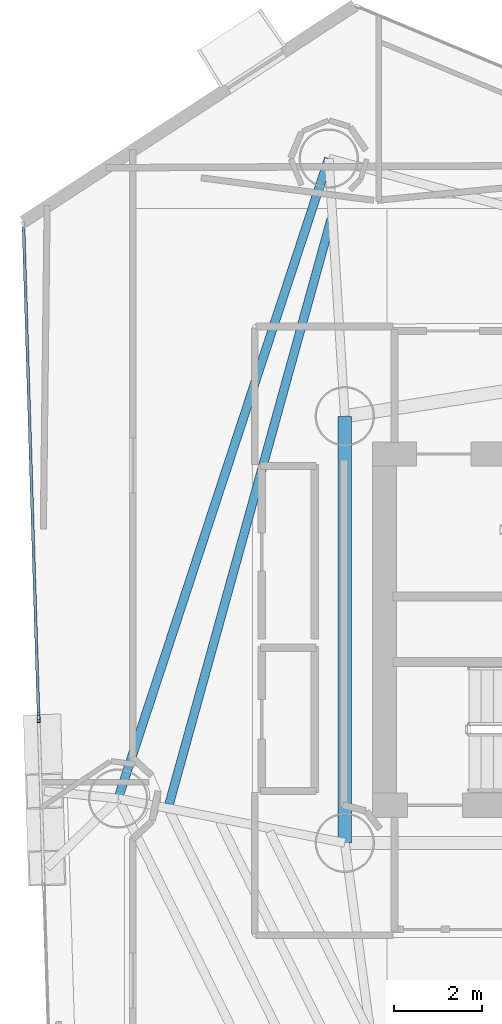
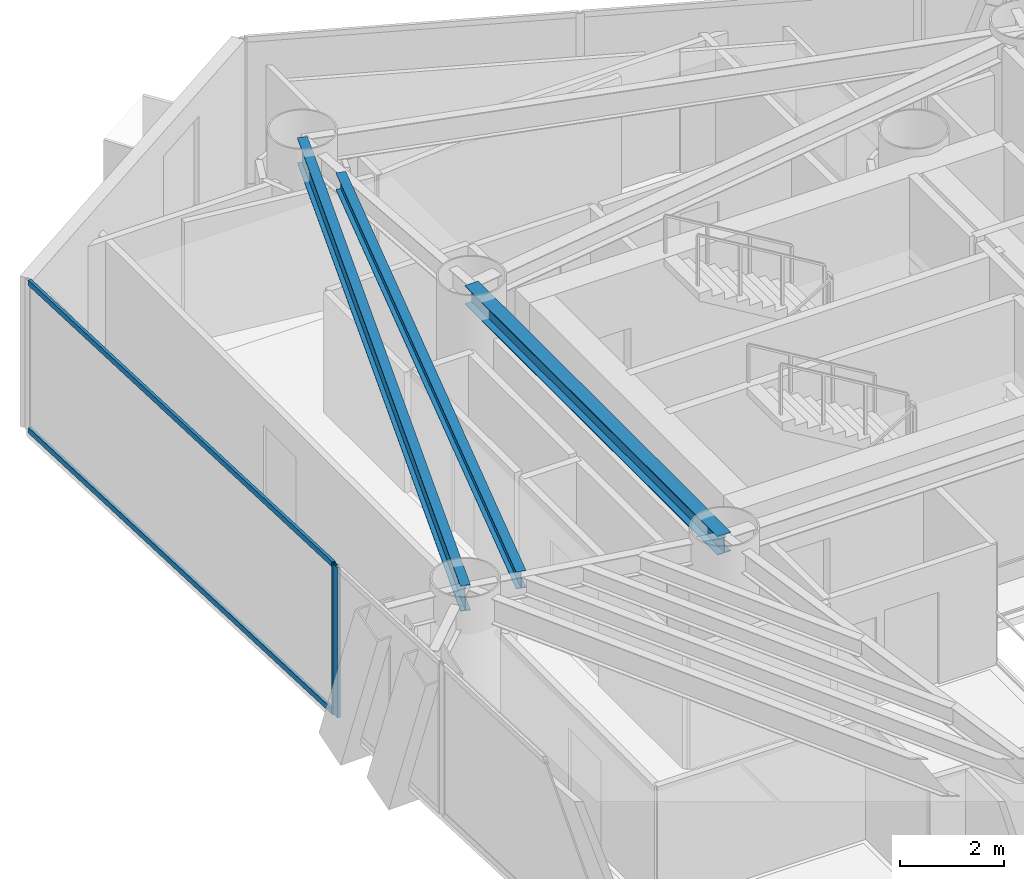
# One storey, part 9 of 22: 4 members, 3 beams, 2 elements without a shape of their own.
"""IFC4 building model written with IfcOpenShell, lengths in metres."""

from ifc_helpers import new_model, si_unit, direction, frame, origin, origin_2d, place, context, subcontext, project, spatial, hollow_rectangle, i_section, extrude, material, layer, layer_set, material_profile, profile_set, type_object, element, aggregate, save


model = new_model("IFC4")

# Units and contexts
model_context = context("Model", 3, precision=1e-05, world=origin(), true_north=direction((0.0, 1.0)))
body_context = subcontext(model_context, "Body", "Model", "MODEL_VIEW")
ifc_project = project(units=[si_unit("LENGTHUNIT", "METRE"), si_unit("AREAUNIT", "SQUARE_METRE"), si_unit("VOLUMEUNIT", "CUBIC_METRE"), si_unit("PLANEANGLEUNIT", "RADIAN"), si_unit("MASSUNIT", "GRAM", prefix="KILO")], contexts=[model_context])

# Site, building, storey
site_placement = place(None, origin())
site = spatial("IfcSite", under=ifc_project, at=site_placement, CompositionType="ELEMENT")
building_placement = place(site_placement, origin())
building = spatial("IfcBuilding", under=site, at=building_placement, Name="Qianvela Tower", CompositionType="ELEMENT")
storey_placement = place(building_placement, frame((0.0, 0.0, 155.0)))
storey = spatial("IfcBuildingStorey", under=building, at=storey_placement, Name="L39", CompositionType="ELEMENT", Elevation=155.0)

# Beams
ifc_material_1 = material(Name="Steel Q355B", Category="steel")
ifc_material_profile_1 = material_profile(ifc_material_1, i_section(OverallWidth=0.300048828125, OverallDepth=0.43994140625, WebThickness=0.010986328125, FlangeThickness=0.01806640625, at=origin_2d()), Name="HM440x300x11x18")
ifc_profile_set_1 = profile_set([ifc_material_profile_1], Name="Steel Q355B")
beam_type_1 = type_object("IfcBeamType", Name="BM-HM440-COLL", PredefinedType="BEAM", material=ifc_profile_set_1)
beam_1_placement = place(storey_placement, frame((28.60009765625, 33.550048828125, 3.298095703125), z_axis=(0.0, -1.0, 0.0), x_axis=(1.0, 0.0, 0.0)))
element("IfcBeam", 1, at=beam_1_placement, inside=storey, type_object=beam_type_1, Name="L39 Core Ring Collector Girder CC2", PredefinedType="BEAM", context=body_context, shape_type="SweptSolid", body=[
    extrude(i_section(OverallWidth=0.300048828125, OverallDepth=0.43994140625, WebThickness=0.010986328125, FlangeThickness=0.01806640625, at=origin_2d()), origin(), (0.0, 0.0, 1.0), 9.699951171875),
])
ifc_material_2 = material(Name="Steel Q355B", Category="steel")
ifc_material_profile_2 = material_profile(ifc_material_2, i_section(OverallWidth=0.199951171875, OverallDepth=0.39990234375, WebThickness=0.008056640625, FlangeThickness=0.012939453125, at=origin_2d()), Name="HN400x200x8x13")
ifc_profile_set_2 = profile_set([ifc_material_profile_2], Name="Steel Q355B")
beam_type_2 = type_object("IfcBeamType", Name="BM-HN400-JOIST", PredefinedType="JOIST", material=ifc_profile_set_2)
beam_2_placement = place(storey_placement, frame((28.289794921875, 38.029052734375, 3.318115234375), z_axis=(-0.266971346744, -0.963704467157, 0.0), x_axis=(0.963704467157, -0.266971346744, 0.0)))
element("IfcBeam", 2, at=beam_2_placement, inside=storey, type_object=beam_type_2, Name="L39 Secondary Composite Floor Joist 3.3", PredefinedType="JOIST", context=body_context, shape_type="SweptSolid", body=[
    extrude(i_section(OverallWidth=0.199951171875, OverallDepth=0.39990234375, WebThickness=0.008056640625, FlangeThickness=0.012939453125, at=origin_2d()), origin(), (0.0, 0.0, 1.0), 13.800537109375),
])
ifc_material_3 = material(Name="Steel Q355B", Category="steel")
ifc_material_profile_3 = material_profile(ifc_material_3, i_section(OverallWidth=0.199951171875, OverallDepth=0.60009765625, WebThickness=0.010986328125, FlangeThickness=0.01708984375, at=origin_2d()), Name="HN600x200x11x17")
ifc_profile_set_3 = profile_set([ifc_material_profile_3], Name="Steel Q355B")
beam_type_3 = type_object("IfcBeamType", Name="BM-HN600-GIRD", PredefinedType="BEAM", material=ifc_profile_set_3)
beam_3_placement = place(storey_placement, frame((28.235107421875, 39.410888671875, 3.218017578125), z_axis=(-0.312606332657, -0.949882772126, 0.0), x_axis=(0.949882772126, -0.312606332657, 0.0)))
element("IfcBeam", 3, at=beam_3_placement, inside=storey, type_object=beam_type_3, Name="L39 Perimeter Ring Spandrel Girder 3", PredefinedType="BEAM", context=body_context, shape_type="SweptSolid", body=[
    extrude(i_section(OverallWidth=0.199951171875, OverallDepth=0.60009765625, WebThickness=0.010986328125, FlangeThickness=0.01708984375, at=origin_2d()), origin(), (0.0, 0.0, 1.0), 15.31982421875),
])

# Curtain wall, member
ifc_material_4 = material(Name="Anodised Architectural Aluminium and Insulated Spandrel Panel", Category="aluminium")
ifc_layer_1 = layer(ifc_material_4, 0.179931640625)
ifc_layer_set_1 = layer_set([ifc_layer_1], Name="Anodised Architectural Aluminium and Insulated Spandrel Panel")
curtain_wall_type_1 = type_object("IfcCurtainWallType", Name="CW-BRACEBAY", PredefinedType="USERDEFINED", material=ifc_layer_set_1)
curtain_wall_1_placement = place(storey_placement, origin())
curtain_wall_1 = element("IfcCurtainWall", 4, at=curtain_wall_1_placement, inside=storey, type_object=curtain_wall_type_1, Name="L39 CW-BRACEBAY Curtain Wall 04B", ObjectType="CURTAIN_WALL_SYSTEM", PredefinedType="USERDEFINED")
ifc_material_5 = material(Name="Anodised Architectural Aluminium 6063-T6", Category="aluminium")
ifc_material_profile_4 = material_profile(ifc_material_5, hollow_rectangle(XDim=0.06494140625, YDim=0.159912109375, WallThickness=0.0048828125, at=origin_2d()), Name="ALU-MULL-65x160")
ifc_profile_set_4 = profile_set([ifc_material_profile_4], Name="Anodised Architectural Aluminium 6063-T6")
member_type_1 = type_object("IfcMemberType", Name="CW-BRACEBAY-MULL", PredefinedType="MULLION", material=ifc_profile_set_4)
member_1_placement = place(storey_placement, frame((21.638427734375, 26.6640625, 0.0), z_axis=(0.0, 0.0, 1.0), x_axis=(0.999528753166, 0.030696442709, 0.0)))
member_1 = element("IfcMember", 5, at=member_1_placement, type_object=member_type_1, Name="CW-9 mullion 1", PredefinedType="MULLION", context=body_context, shape_type="SweptSolid", body=[
    extrude(hollow_rectangle(XDim=0.06494140625, YDim=0.159912109375, WallThickness=0.0048828125, at=origin_2d()), origin(), (0.0, 0.0, 1.0), 3.52001953125),
])
aggregate(curtain_wall_1, [member_1])

# Curtain wall, members
ifc_material_6 = material(Name="Anodised Architectural Aluminium and Low-E Glass", Category="aluminium")
ifc_layer_2 = layer(ifc_material_6, 0.169921875)
ifc_layer_set_2 = layer_set([ifc_layer_2], Name="Anodised Architectural Aluminium and Low-E Glass")
curtain_wall_type_2 = type_object("IfcCurtainWallType", Name="CW-COLIV-Z34", PredefinedType="USERDEFINED", material=ifc_layer_set_2)
curtain_wall_2_placement = place(storey_placement, origin())
curtain_wall_2 = element("IfcCurtainWall", 6, at=curtain_wall_2_placement, inside=storey, type_object=curtain_wall_type_2, Name="L39 CW-COLIV-Z34 Curtain Wall 04A", ObjectType="CURTAIN_WALL_SYSTEM", PredefinedType="USERDEFINED")
ifc_material_7 = material(Name="Anodised Architectural Aluminium 6063-T6", Category="aluminium")
ifc_material_profile_5 = material_profile(ifc_material_7, hollow_rectangle(XDim=0.06494140625, YDim=0.159912109375, WallThickness=0.0048828125, at=origin_2d()), Name="ALU-MULL-65x160")
ifc_profile_set_5 = profile_set([ifc_material_profile_5], Name="Anodised Architectural Aluminium 6063-T6")
member_type_2 = type_object("IfcMemberType", Name="CW-COLIV-Z34-MULL", PredefinedType="MULLION", material=ifc_profile_set_5)
member_2_placement = place(storey_placement, frame((21.636474609375, 26.72900390625, 0.0), z_axis=(0.0, 0.0, 1.0), x_axis=(0.999527990067, 0.030721280446, 0.0)))
member_2 = element("IfcMember", 7, at=member_2_placement, type_object=member_type_2, Name="CW-4 mullion 2", PredefinedType="MULLION", context=body_context, shape_type="SweptSolid", body=[
    extrude(hollow_rectangle(XDim=0.06494140625, YDim=0.159912109375, WallThickness=0.0048828125, at=origin_2d()), origin(), (0.0, 0.0, 1.0), 3.52001953125),
])
ifc_material_8 = material(Name="Anodised Architectural Aluminium 6063-T6", Category="aluminium")
ifc_material_profile_6 = material_profile(ifc_material_8, hollow_rectangle(XDim=0.06494140625, YDim=0.1298828125, WallThickness=0.00439453125, at=origin_2d()), Name="ALU-TRAN-65x130")
ifc_profile_set_6 = profile_set([ifc_material_profile_6], Name="Anodised Architectural Aluminium 6063-T6")
member_type_3 = type_object("IfcMemberType", Name="CW-COLIV-Z34-TRAN", PredefinedType="USERDEFINED", material=ifc_profile_set_6)
member_3_placement = place(storey_placement, frame((21.29443359375, 37.8564453125, 0.032470703125), z_axis=(0.030725941291, -0.999527846802, 0.0), x_axis=(0.999527846802, 0.030725941291, 0.0)))
member_3 = element("IfcMember", 8, at=member_3_placement, type_object=member_type_3, Name="CW-4 transom 1.1", ObjectType="TRANSOM", PredefinedType="USERDEFINED", context=body_context, shape_type="SweptSolid", body=[
    extrude(hollow_rectangle(XDim=0.06494140625, YDim=0.1298828125, WallThickness=0.00439453125, at=origin_2d()), origin(), (0.0, 0.0, 1.0), 11.10009765625),
])
member_4_placement = place(storey_placement, frame((21.29443359375, 37.8564453125, 3.487548828125), z_axis=(0.030725941291, -0.999527846802, 0.0), x_axis=(0.999527846802, 0.030725941291, 0.0)))
member_4 = element("IfcMember", 9, at=member_4_placement, type_object=member_type_3, Name="CW-4 transom 1.2", ObjectType="TRANSOM", PredefinedType="USERDEFINED", context=body_context, shape_type="SweptSolid", body=[
    extrude(hollow_rectangle(XDim=0.06494140625, YDim=0.1298828125, WallThickness=0.00439453125, at=origin_2d()), origin(), (0.0, 0.0, 1.0), 11.10009765625),
])
aggregate(curtain_wall_2, [member_2, member_3, member_4])

save(model, "model.ifc")
